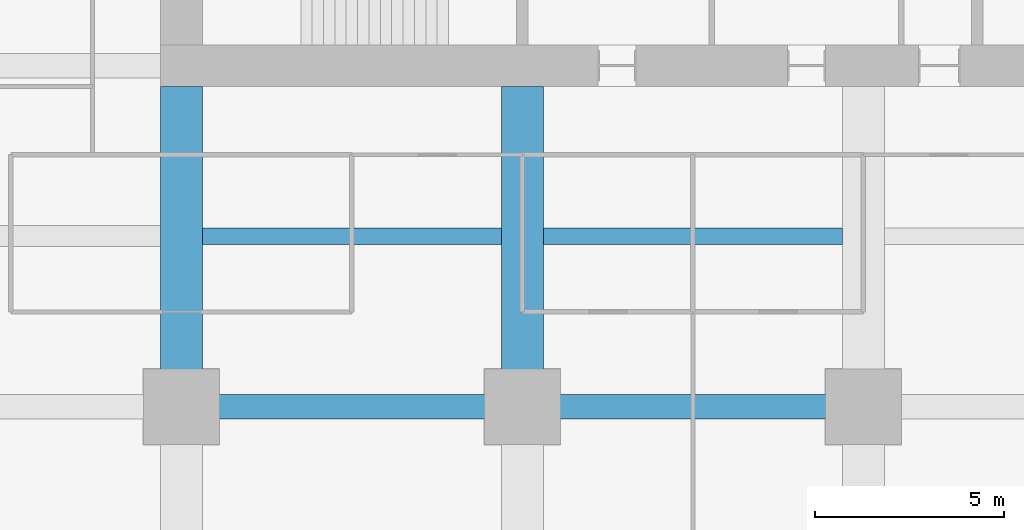
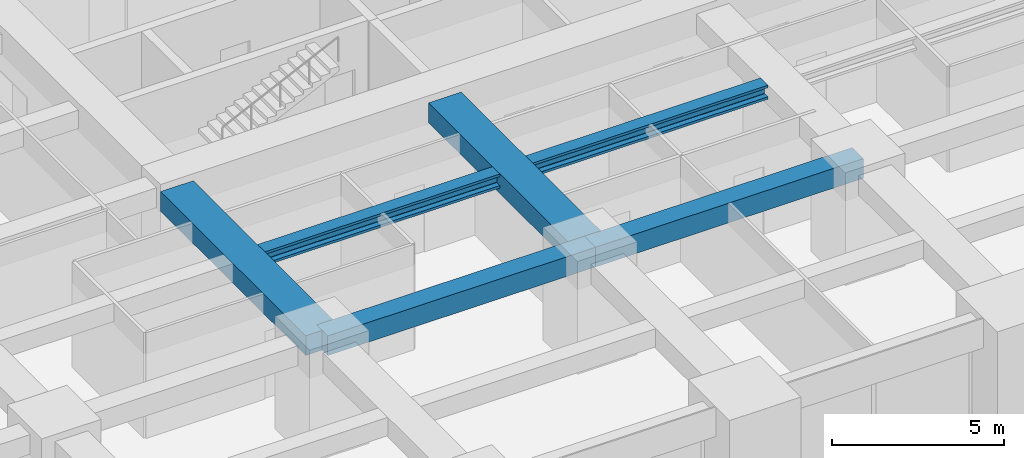
# One storey, part 8 of 41: 6 beams.
"""IFC4 building model written with IfcOpenShell, lengths in metres."""

import ifcopenshell
import ifcopenshell.guid

model = None  # the IFC model being written
_history = None  # IfcOwnerHistory: only IFC2X3 demands one
_inside = {}  # id of a spatial element -> (the spatial element, [elements in it])
_under = {}  # id of a project, library or spatial element -> (it, [spatial elements below it])
_declared = {}  # id of a project -> (the project, [libraries it declares])
_typed = {}  # id of a type object -> (the type object, [elements of that type])
_made_of = {}  # id of a material, layer set ... -> (it, [elements and type objects made of it])


def new_model(schema):
    """Start an empty IFC model of exactly this schema.

    Asked for "IFC4X3", IfcOpenShell would pick the latest addendum, in which some entities
    have other attributes; the version numbers below select the first issue.
    IFC2X3 requires an IfcOwnerHistory on every rooted entity: one is made here for all.
    """
    global model, _history
    if schema == "IFC4X3":
        model = ifcopenshell.file(schema_version=(4, 3, 0, 0))
    else:
        model = ifcopenshell.file(schema=schema)
    _inside.clear()
    _under.clear()
    _declared.clear()
    _typed.clear()
    _made_of.clear()
    _history = None
    if model.schema == "IFC2X3":
        org = make("IfcOrganization", Name="unknown")
        user = make(
            "IfcPersonAndOrganization",
            ThePerson=make("IfcPerson", FamilyName="unknown"),
            TheOrganization=org,
        )
        app = make(
            "IfcApplication",
            ApplicationDeveloper=org,
            Version="unknown",
            ApplicationFullName="unknown",
            ApplicationIdentifier="unknown",
        )
        _history = make(
            "IfcOwnerHistory",
            OwningUser=user,
            OwningApplication=app,
            ChangeAction="ADDED",
            CreationDate=0,
        )
    return model


def make(cls, **values):
    """One entity of the class cls with the attributes given. An attribute that is None is left unset."""
    return model.create_entity(
        cls, **{name: value for name, value in values.items() if value is not None}
    )


def rooted(cls, **values):
    """An entity with a GlobalId (a new one), such as an element, a storey or a relation."""
    return make(cls, GlobalId=ifcopenshell.guid.new(), OwnerHistory=_history, **values)


def si_unit(unit_type, name, prefix=None):
    """IfcSIUnit, for example si_unit("LENGTHUNIT", "METRE", prefix="MILLI")."""
    return make("IfcSIUnit", UnitType=unit_type, Prefix=prefix, Name=name)


def assignment(units):
    """IfcUnitAssignment: the units of a project."""
    return None if units is None else make("IfcUnitAssignment", Units=units)


def point(xyz):
    """IfcCartesianPoint."""
    return None if xyz is None else make("IfcCartesianPoint", Coordinates=xyz)


def direction(xyz):
    """IfcDirection."""
    return None if xyz is None else make("IfcDirection", DirectionRatios=xyz)


def frame(location, z_axis=None, x_axis=None):
    """IfcAxis2Placement3D, a coordinate frame: its origin and axes. An axis left out is left unset."""
    return make(
        "IfcAxis2Placement3D",
        Location=point(location),
        Axis=direction(z_axis),
        RefDirection=direction(x_axis),
    )


def frame_2d(location, x_axis=None):
    """IfcAxis2Placement2D, a coordinate frame in the plane: its origin and x axis."""
    return make(
        "IfcAxis2Placement2D", Location=point(location), RefDirection=direction(x_axis)
    )


def origin():
    """The frame at (0, 0, 0) with its axes left unset."""
    return frame((0.0, 0.0, 0.0))


def origin_2d():
    """The frame at (0, 0) in the plane with its x axis left unset."""
    return frame_2d((0.0, 0.0))


def place(relative_to, where):
    """IfcLocalPlacement: puts the frame where relative to a parent placement (None: the world)."""
    return make(
        "IfcLocalPlacement", PlacementRelTo=relative_to, RelativePlacement=where
    )


def context(
    kind, dimensions, precision=None, world=None, true_north=None, identifier=None
):
    """IfcGeometricRepresentationContext, for example the 3D "Model" context."""
    return make(
        "IfcGeometricRepresentationContext",
        ContextIdentifier=identifier,
        ContextType=kind,
        CoordinateSpaceDimension=dimensions,
        Precision=precision,
        WorldCoordinateSystem=world,
        TrueNorth=true_north,
    )


def subcontext(parent, identifier, kind, view, scale=None):
    """IfcGeometricRepresentationSubContext, for example "Body" below "Model"."""
    return make(
        "IfcGeometricRepresentationSubContext",
        ContextIdentifier=identifier,
        ContextType=kind,
        ParentContext=parent,
        TargetScale=scale,
        TargetView=view,
    )


def project(units=None, contexts=None):
    """IfcProject with its units and contexts."""
    return rooted(
        "IfcProject",
        Name="project",
        RepresentationContexts=contexts,
        UnitsInContext=assignment(units),
    )


def spatial(cls, under=None, at=None, **own):
    """A site, building, storey or space (cls), placed at a placement, below another one or the project."""
    s = rooted(cls, ObjectPlacement=at, **own)
    if under is not None:
        _under.setdefault(under.id(), (under, []))[1].append(s)
    return s


def profile(cls, at=None, kind="AREA", **sizes):
    """A parametric profile (cls). Its sizes go by their IFC names, for example OverallWidth=200.0."""
    return make(cls, ProfileType=kind, Position=at, **sizes)


def rectangle(**sizes):
    """IfcRectangleProfileDef."""
    return profile("IfcRectangleProfileDef", **sizes)


def i_section(**sizes):
    """IfcIShapeProfileDef."""
    return profile("IfcIShapeProfileDef", **sizes)


def extrude(swept, where, along, depth):
    """IfcExtrudedAreaSolid: the profile swept, set in the frame where, extruded along a direction by depth."""
    return make(
        "IfcExtrudedAreaSolid",
        SweptArea=swept,
        Position=where,
        ExtrudedDirection=direction(along),
        Depth=depth,
    )


def shape(context_of_items, identifier, shape_type, items):
    """IfcShapeRepresentation: the items that make up one representation, for example the "Body"."""
    return make(
        "IfcShapeRepresentation",
        ContextOfItems=context_of_items,
        RepresentationIdentifier=identifier,
        RepresentationType=shape_type,
        Items=items,
    )


def material(Name=None, Category=None):
    """IfcMaterial."""
    return make("IfcMaterial", Name=Name, Category=Category)


def material_profile(
    of_material, cross_section, Name=None, Category=None, Priority=None
):
    """IfcMaterialProfile: a cross section and its material."""
    return make(
        "IfcMaterialProfile",
        Name=Name,
        Material=of_material,
        Profile=cross_section,
        Priority=Priority,
        Category=Category,
    )


def profile_set(profiles, Name=None, composite=None):
    """IfcMaterialProfileSet."""
    return make(
        "IfcMaterialProfileSet",
        Name=Name,
        MaterialProfiles=profiles,
        CompositeProfile=composite,
    )


def made_of(thing, what):
    """Note that an element or type object is made of a material, layer set ...; save() writes the relation."""
    if what is not None:
        _made_of.setdefault(what.id(), (what, []))[1].append(thing)
    return thing


def type_object(cls, material=None, **own):
    """A type object (cls), such as IfcWallType, which elements share."""
    return made_of(rooted(cls, **own), material)


def element(
    cls,
    number,
    at=None,
    inside=None,
    cuts=None,
    type_object=None,
    material=None,
    context=None,
    identifier="Body",
    shape_type=None,
    held_by="IfcProductDefinitionShape",
    body=None,
    shapes=None,
    **own,
):
    """One element of the class cls, such as IfcWall. Its Tag is "e" and its number.

    at: its placement. inside: the storey or other place that contains it. cuts: it is an
    opening in that element (IfcRelVoidsElement). A single representation is given by context,
    identifier, shape_type and body (its items); several are given by shapes. held_by: the class
    of the entity that holds the representations. save() writes the other relations.
    """
    e = rooted(cls, Tag="e%d" % number, ObjectPlacement=at, **own)
    if body is not None:
        shapes = [shape(context, identifier, shape_type, body)]
    if shapes is not None:
        e.Representation = make(held_by, Representations=shapes)
    if inside is not None:
        _inside.setdefault(inside.id(), (inside, []))[1].append(e)
    if cuts is not None:
        rooted(
            "IfcRelVoidsElement", RelatingBuildingElement=cuts, RelatedOpeningElement=e
        )
    if type_object is not None:
        _typed.setdefault(type_object.id(), (type_object, []))[1].append(e)
    return made_of(e, material)


def aggregate(whole, parts):
    """IfcRelAggregates: a whole, such as a stair, and the parts it consists of."""
    return rooted("IfcRelAggregates", RelatingObject=whole, RelatedObjects=parts)


def save(model, path):
    """Write the relations noted so far, then the file.

    IfcRelAggregates (storeys below a building ...), IfcRelContainedInSpatialStructure (elements
    in a storey), IfcRelDefinesByType, IfcRelAssociatesMaterial and IfcRelDeclares: one each for
    every whole, place, type object, material and project.
    """
    for whole, parts in _under.values():
        aggregate(whole, parts)
    for where, things in _inside.values():
        rooted(
            "IfcRelContainedInSpatialStructure",
            RelatedElements=things,
            RelatingStructure=where,
        )
    for kind, things in _typed.values():
        rooted("IfcRelDefinesByType", RelatedObjects=things, RelatingType=kind)
    for what, things in _made_of.values():
        rooted("IfcRelAssociatesMaterial", RelatedObjects=things, RelatingMaterial=what)
    for by, libraries in _declared.values():
        rooted("IfcRelDeclares", RelatingContext=by, RelatedDefinitions=libraries)
    model.write(path)


model = new_model("IFC4")

# Units and contexts
model_context = context("Model", 3, precision=1e-05, world=origin(), true_north=direction((0.0, 1.0)))
body_context = subcontext(model_context, "Body", "Model", "MODEL_VIEW")
ifc_project = project(units=[si_unit("LENGTHUNIT", "METRE"), si_unit("AREAUNIT", "SQUARE_METRE"), si_unit("VOLUMEUNIT", "CUBIC_METRE"), si_unit("PLANEANGLEUNIT", "RADIAN"), si_unit("MASSUNIT", "GRAM", prefix="KILO")], contexts=[model_context])

# Site, building, storey
site_placement = place(None, origin())
site = spatial("IfcSite", under=ifc_project, at=site_placement, CompositionType="ELEMENT")
building_placement = place(site_placement, origin())
building = spatial("IfcBuilding", under=site, at=building_placement, Name="Zorevar Civic Tower", CompositionType="ELEMENT")
storey_placement = place(building_placement, frame((0.0, 0.0, 109.0)))
storey = spatial("IfcBuildingStorey", under=building, at=storey_placement, Name="L26", CompositionType="ELEMENT", Elevation=109.0)

# Beams
ifc_material_1 = material(Name="Concrete C50/60", Category="concrete")
ifc_material_profile_1 = material_profile(ifc_material_1, rectangle(XDim=1.10009765625, YDim=0.699951171875, at=origin_2d()), Name="RC 1100x700")
ifc_profile_set_1 = profile_set([ifc_material_profile_1], Name="Concrete C50/60")
beam_type_1 = type_object("IfcBeamType", Name="Beam RC 1100x700", PredefinedType="BEAM", material=ifc_profile_set_1)
for number, where, z_axis, x_axis, name in (
    (1, (18.0, 9.0, 3.39990234375), (0.0, 1.0, 0.0), (-1.0, 0.0, 0.0), "Girder L27"),
    (2, (27.0, 9.0, 3.39990234375), (0.0, 1.0, 0.0), (-1.0, 0.0, 0.0), "Girder L27"),
):
    element("IfcBeam", number, at=place(storey_placement, frame(where, z_axis=z_axis, x_axis=x_axis)), inside=storey, type_object=beam_type_1, Name=name, PredefinedType="BEAM", context=body_context, shape_type="SweptSolid", body=[
        extrude(rectangle(XDim=1.10009765625, YDim=0.699951171875, at=origin_2d()), origin(), (0.0, 0.0, 1.0), 8.449951171875),
    ])
ifc_material_2 = material(Name="Concrete C50/60", Category="concrete")
ifc_material_profile_2 = material_profile(ifc_material_2, rectangle(XDim=0.64990234375, YDim=0.699951171875, at=origin_2d()), Name="RC 650x700")
ifc_profile_set_2 = profile_set([ifc_material_profile_2], Name="Concrete C50/60")
beam_type_2 = type_object("IfcBeamType", Name="Beam RC 650x700", PredefinedType="BEAM", material=ifc_profile_set_2)
for number, where, z_axis, x_axis, name in (
    (3, (18.0, 9.0, 3.39990234375), (1.0, 0.0, 0.0), (0.0, 1.0, 0.0), "Girder L27"),
    (4, (27.0, 9.0, 3.39990234375), (1.0, 0.0, 0.0), (0.0, 1.0, 0.0), "Girder L27"),
):
    element("IfcBeam", number, at=place(storey_placement, frame(where, z_axis=z_axis, x_axis=x_axis)), inside=storey, type_object=beam_type_2, Name=name, PredefinedType="BEAM", context=body_context, shape_type="SweptSolid", body=[
        extrude(rectangle(XDim=0.64990234375, YDim=0.699951171875, at=origin_2d()), origin(), (0.0, 0.0, 1.0), 9.0),
    ])
ifc_material_3 = material(Name="Steel S460M (HISTAR 460)", Category="steel")
ifc_material_profile_3 = material_profile(ifc_material_3, i_section(OverallWidth=0.431884765625, OverallDepth=0.498046875, WebThickness=0.0556640625, FlangeThickness=0.0888671875, FilletRadius=0.014892578125, at=origin_2d()), Name="HD 400x744")
ifc_profile_set_3 = profile_set([ifc_material_profile_3], Name="Steel S460M (HISTAR 460)")
beam_type_3 = type_object("IfcBeamType", Name="Core bay beam HD 400x744", PredefinedType="BEAM", material=ifc_profile_set_3)
for number, where, z_axis, x_axis, name in (
    (5, (18.550048828125, 13.5, 3.5009765625), (1.0, 0.0, 0.0), (0.0, 1.0, 0.0), "Secondary beam L27"),
    (6, (27.550048828125, 13.5, 3.5009765625), (1.0, 0.0, 0.0), (0.0, 1.0, 0.0), "Secondary beam L27"),
):
    element("IfcBeam", number, at=place(storey_placement, frame(where, z_axis=z_axis, x_axis=x_axis)), inside=storey, type_object=beam_type_3, Name=name, PredefinedType="BEAM", context=body_context, shape_type="SweptSolid", body=[
        extrude(i_section(OverallWidth=0.431884765625, OverallDepth=0.498046875, WebThickness=0.0556640625, FlangeThickness=0.0888671875, FilletRadius=0.014892578125, at=origin_2d()), origin(), (0.0, 0.0, 1.0), 7.89990234375),
    ])

save(model, "model.ifc")
